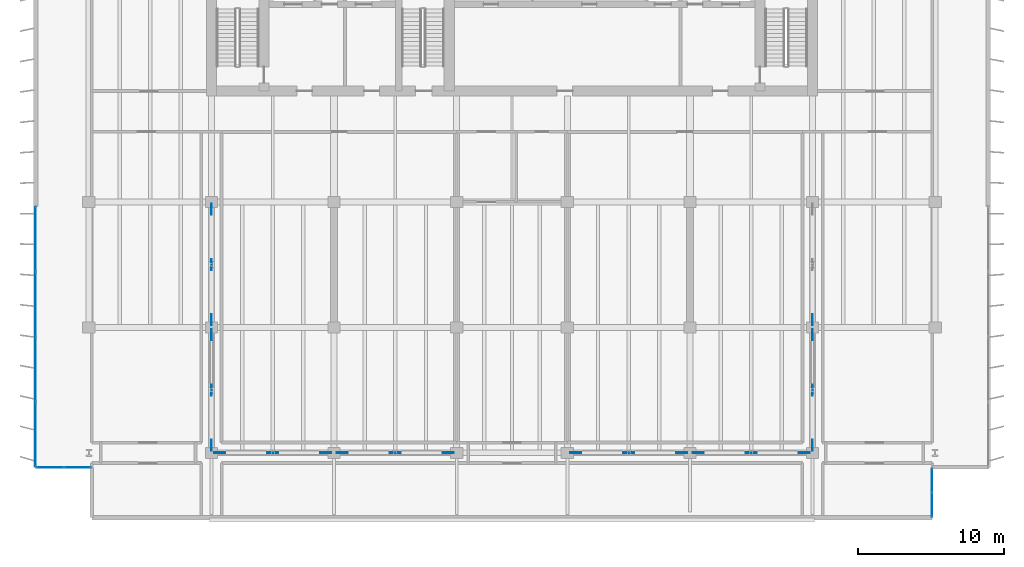
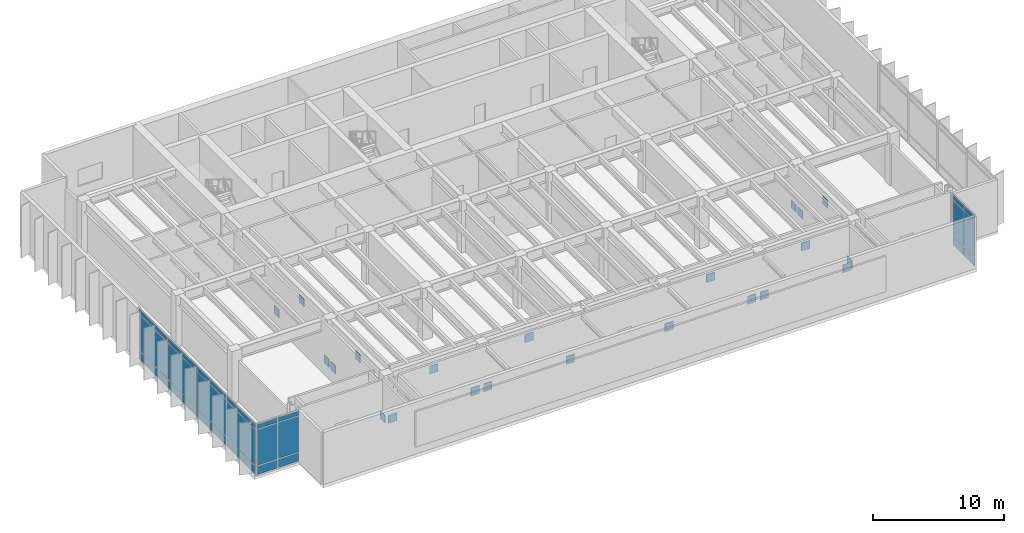
# One storey, part 11 of 23: 46 plates, 3 elements without a shape of their own.
"""IFC4 building model written with IfcOpenShell, lengths in metres."""

from ifc_helpers import new_model, si_unit, direction, frame, origin, origin_2d, place, context, subcontext, project, spatial, rectangle, extrude, material, layer, layer_set, type_object, element, aggregate, save


model = new_model("IFC4")

# Units and contexts
model_context = context("Model", 3, precision=1e-05, world=origin(), true_north=direction((0.0, 1.0)))
body_context = subcontext(model_context, "Body", "Model", "MODEL_VIEW")
ifc_project = project(units=[si_unit("LENGTHUNIT", "METRE"), si_unit("AREAUNIT", "SQUARE_METRE"), si_unit("VOLUMEUNIT", "CUBIC_METRE"), si_unit("PLANEANGLEUNIT", "RADIAN"), si_unit("MASSUNIT", "GRAM", prefix="KILO")], contexts=[model_context])

# Site, building, storey
site_placement = place(None, origin())
site = spatial("IfcSite", under=ifc_project, at=site_placement, CompositionType="ELEMENT")
building_placement = place(site_placement, origin())
building = spatial("IfcBuilding", under=site, at=building_placement, Name="Caelmar Bay Residences", CompositionType="ELEMENT")
storey_placement = place(building_placement, frame((0.0, 0.0, 221.39990234375)))
storey = spatial("IfcBuildingStorey", under=building, at=storey_placement, Name="L62", CompositionType="ELEMENT", Elevation=221.39990234375)

# Curtain wall, plates
ifc_material_1 = material(Name="Anodised bronze aluminium 6063-T6 and laminated glass", Category="aluminium")
ifc_layer_1 = layer(ifc_material_1, 0.179931640625)
ifc_layer_set_1 = layer_set([ifc_layer_1], Name="Anodised bronze aluminium 6063-T6 and laminated glass")
curtain_wall_type_1 = type_object("IfcCurtainWallType", Name="CW6-NTC", PredefinedType="NOTDEFINED", material=ifc_layer_set_1)
curtain_wall_1_placement = place(storey_placement, origin())
curtain_wall_1 = element("IfcCurtainWall", 1, at=curtain_wall_1_placement, inside=storey, type_object=curtain_wall_type_1, Name="CW6 curtain wall L62", PredefinedType="NOTDEFINED")
ifc_material_2 = material(Name="Bronze-tinted laminated low-E hurricane glass 28 mm", Category="glass")
ifc_layer_2 = layer(ifc_material_2, 0.028076171875)
ifc_layer_set_2 = layer_set([ifc_layer_2], Name="Bronze-tinted laminated low-E hurricane glass 28 mm")
plate_type_1 = type_object("IfcPlateType", Name="CWP-GLZ28", PredefinedType="CURTAIN_PANEL", material=ifc_layer_set_2)
plate_1_placement = place(storey_placement, frame((7.232421875, 11.199951171875, 0.080078125), z_axis=(0.0, 0.0, 1.0), x_axis=(1.0, 0.0, 0.0)))
plate_1 = element("IfcPlate", 2, at=plate_1_placement, type_object=plate_type_1, Name="CW6 panel 1.1", PredefinedType="CURTAIN_PANEL", context=body_context, shape_type="SweptSolid", body=[
    extrude(rectangle(XDim=1.804931640625, YDim=0.028076171875, at=origin_2d()), origin(), (0.0, 0.0, 1.0), 0.780029296875),
])
plate_2_placement = place(storey_placement, frame((7.232421875, 11.199951171875, 0.93994140625), z_axis=(0.0, 0.0, 1.0), x_axis=(1.0, 0.0, 0.0)))
plate_2 = element("IfcPlate", 3, at=plate_2_placement, type_object=plate_type_1, Name="CW6 panel 1.2", PredefinedType="CURTAIN_PANEL", context=body_context, shape_type="SweptSolid", body=[
    extrude(rectangle(XDim=1.804931640625, YDim=0.028076171875, at=origin_2d()), origin(), (0.0, 0.0, 1.0), 3.320068359375),
])
plate_3_placement = place(storey_placement, frame((7.232421875, 11.199951171875, 4.34033203125), z_axis=(0.0, 0.0, 1.0), x_axis=(1.0, 0.0, 0.0)))
plate_3 = element("IfcPlate", 4, at=plate_3_placement, type_object=plate_type_1, Name="CW6 panel 1.3", PredefinedType="CURTAIN_PANEL", context=body_context, shape_type="SweptSolid", body=[
    extrude(rectangle(XDim=1.804931640625, YDim=0.028076171875, at=origin_2d()), origin(), (0.0, 0.0, 1.0), 0.429931640625),
])
plate_4_placement = place(storey_placement, frame((9.117431640625, 11.199951171875, 0.080078125), z_axis=(0.0, 0.0, 1.0), x_axis=(1.0, 0.0, 0.0)))
plate_4 = element("IfcPlate", 5, at=plate_4_placement, type_object=plate_type_1, Name="CW6 panel 2.1", PredefinedType="CURTAIN_PANEL", context=body_context, shape_type="SweptSolid", body=[
    extrude(rectangle(XDim=1.804931640625, YDim=0.028076171875, at=origin_2d()), origin(), (0.0, 0.0, 1.0), 0.780029296875),
])
plate_5_placement = place(storey_placement, frame((9.117431640625, 11.199951171875, 0.93994140625), z_axis=(0.0, 0.0, 1.0), x_axis=(1.0, 0.0, 0.0)))
plate_5 = element("IfcPlate", 6, at=plate_5_placement, type_object=plate_type_1, Name="CW6 panel 2.2", PredefinedType="CURTAIN_PANEL", context=body_context, shape_type="SweptSolid", body=[
    extrude(rectangle(XDim=1.804931640625, YDim=0.028076171875, at=origin_2d()), origin(), (0.0, 0.0, 1.0), 3.320068359375),
])
plate_6_placement = place(storey_placement, frame((9.117431640625, 11.199951171875, 4.34033203125), z_axis=(0.0, 0.0, 1.0), x_axis=(1.0, 0.0, 0.0)))
plate_6 = element("IfcPlate", 7, at=plate_6_placement, type_object=plate_type_1, Name="CW6 panel 2.3", PredefinedType="CURTAIN_PANEL", context=body_context, shape_type="SweptSolid", body=[
    extrude(rectangle(XDim=1.804931640625, YDim=0.028076171875, at=origin_2d()), origin(), (0.0, 0.0, 1.0), 0.429931640625),
])
aggregate(curtain_wall_1, [plate_1, plate_2, plate_3, plate_4, plate_5, plate_6])

curtain_wall_2_placement = place(storey_placement, origin())
curtain_wall_2 = element("IfcCurtainWall", 8, at=curtain_wall_2_placement, inside=storey, type_object=curtain_wall_type_1, Name="CW6 curtain wall L62", PredefinedType="NOTDEFINED")
plate_7_placement = place(storey_placement, frame((67.699951171875, 8.632568359375, 0.080078125), z_axis=(0.0, 0.0, 1.0), x_axis=(0.0, 1.0, 0.0)))
plate_7 = element("IfcPlate", 9, at=plate_7_placement, type_object=plate_type_1, Name="CW6 panel 1.1", PredefinedType="CURTAIN_PANEL", context=body_context, shape_type="SweptSolid", body=[
    extrude(rectangle(XDim=1.60498046875, YDim=0.028076171875, at=origin_2d()), origin(), (0.0, 0.0, 1.0), 0.780029296875),
])
plate_8_placement = place(storey_placement, frame((67.699951171875, 8.632568359375, 0.93994140625), z_axis=(0.0, 0.0, 1.0), x_axis=(0.0, 1.0, 0.0)))
plate_8 = element("IfcPlate", 10, at=plate_8_placement, type_object=plate_type_1, Name="CW6 panel 1.2", PredefinedType="CURTAIN_PANEL", context=body_context, shape_type="SweptSolid", body=[
    extrude(rectangle(XDim=1.60498046875, YDim=0.028076171875, at=origin_2d()), origin(), (0.0, 0.0, 1.0), 3.320068359375),
])
plate_9_placement = place(storey_placement, frame((67.699951171875, 8.632568359375, 4.34033203125), z_axis=(0.0, 0.0, 1.0), x_axis=(0.0, 1.0, 0.0)))
plate_9 = element("IfcPlate", 11, at=plate_9_placement, type_object=plate_type_1, Name="CW6 panel 1.3", PredefinedType="CURTAIN_PANEL", context=body_context, shape_type="SweptSolid", body=[
    extrude(rectangle(XDim=1.60498046875, YDim=0.028076171875, at=origin_2d()), origin(), (0.0, 0.0, 1.0), 0.429931640625),
])
plate_10_placement = place(storey_placement, frame((67.699951171875, 10.3173828125, 0.080078125), z_axis=(0.0, 0.0, 1.0), x_axis=(0.0, 1.0, 0.0)))
plate_10 = element("IfcPlate", 12, at=plate_10_placement, type_object=plate_type_1, Name="CW6 panel 2.1", PredefinedType="CURTAIN_PANEL", context=body_context, shape_type="SweptSolid", body=[
    extrude(rectangle(XDim=1.60498046875, YDim=0.028076171875, at=origin_2d()), origin(), (0.0, 0.0, 1.0), 0.780029296875),
])
plate_11_placement = place(storey_placement, frame((67.699951171875, 10.3173828125, 0.93994140625), z_axis=(0.0, 0.0, 1.0), x_axis=(0.0, 1.0, 0.0)))
plate_11 = element("IfcPlate", 13, at=plate_11_placement, type_object=plate_type_1, Name="CW6 panel 2.2", PredefinedType="CURTAIN_PANEL", context=body_context, shape_type="SweptSolid", body=[
    extrude(rectangle(XDim=1.60498046875, YDim=0.028076171875, at=origin_2d()), origin(), (0.0, 0.0, 1.0), 3.320068359375),
])
plate_12_placement = place(storey_placement, frame((67.699951171875, 10.3173828125, 4.34033203125), z_axis=(0.0, 0.0, 1.0), x_axis=(0.0, 1.0, 0.0)))
plate_12 = element("IfcPlate", 14, at=plate_12_placement, type_object=plate_type_1, Name="CW6 panel 2.3", PredefinedType="CURTAIN_PANEL", context=body_context, shape_type="SweptSolid", body=[
    extrude(rectangle(XDim=1.60498046875, YDim=0.028076171875, at=origin_2d()), origin(), (0.0, 0.0, 1.0), 0.429931640625),
])
aggregate(curtain_wall_2, [plate_7, plate_8, plate_9, plate_10, plate_11, plate_12])

ifc_layer_3 = layer(ifc_material_1, 0.179931640625)
ifc_layer_set_3 = layer_set([ifc_layer_3], Name="Anodised bronze aluminium 6063-T6 and laminated glass")
curtain_wall_type_2 = type_object("IfcCurtainWallType", Name="CW4-Z3", PredefinedType="NOTDEFINED", material=ifc_layer_set_3)
curtain_wall_3_placement = place(storey_placement, origin())
curtain_wall_3 = element("IfcCurtainWall", 15, at=curtain_wall_3_placement, inside=storey, type_object=curtain_wall_type_2, Name="CW4 curtain wall L62", PredefinedType="NOTDEFINED")
plate_13_placement = place(storey_placement, frame((6.25, 13.45751953125, 0.080078125), z_axis=(0.0, 0.0, 1.0), x_axis=(0.0, 1.0, 0.0)))
plate_13 = element("IfcPlate", 16, at=plate_13_placement, type_object=plate_type_1, Name="CW4 panel 1.1", PredefinedType="CURTAIN_PANEL", context=body_context, shape_type="SweptSolid", body=[
    extrude(rectangle(XDim=4.35498046875, YDim=0.028076171875, at=origin_2d()), origin(), (0.0, 0.0, 1.0), 0.780029296875),
])
plate_14_placement = place(storey_placement, frame((6.25, 13.45751953125, 0.93994140625), z_axis=(0.0, 0.0, 1.0), x_axis=(0.0, 1.0, 0.0)))
plate_14 = element("IfcPlate", 17, at=plate_14_placement, type_object=plate_type_1, Name="CW4 panel 1.2", PredefinedType="CURTAIN_PANEL", context=body_context, shape_type="SweptSolid", body=[
    extrude(rectangle(XDim=4.35498046875, YDim=0.028076171875, at=origin_2d()), origin(), (0.0, 0.0, 1.0), 3.320068359375),
])
plate_15_placement = place(storey_placement, frame((6.25, 13.45751953125, 4.34033203125), z_axis=(0.0, 0.0, 1.0), x_axis=(0.0, 1.0, 0.0)))
plate_15 = element("IfcPlate", 18, at=plate_15_placement, type_object=plate_type_1, Name="CW4 panel 1.3", PredefinedType="CURTAIN_PANEL", context=body_context, shape_type="SweptSolid", body=[
    extrude(rectangle(XDim=4.35498046875, YDim=0.028076171875, at=origin_2d()), origin(), (0.0, 0.0, 1.0), 0.429931640625),
])
plate_16_placement = place(storey_placement, frame((6.25, 17.91259765625, 0.080078125), z_axis=(0.0, 0.0, 1.0), x_axis=(0.0, 1.0, 0.0)))
plate_16 = element("IfcPlate", 19, at=plate_16_placement, type_object=plate_type_1, Name="CW4 panel 2.1", PredefinedType="CURTAIN_PANEL", context=body_context, shape_type="SweptSolid", body=[
    extrude(rectangle(XDim=4.39501953125, YDim=0.028076171875, at=origin_2d()), origin(), (0.0, 0.0, 1.0), 0.780029296875),
])
plate_17_placement = place(storey_placement, frame((6.25, 17.91259765625, 0.93994140625), z_axis=(0.0, 0.0, 1.0), x_axis=(0.0, 1.0, 0.0)))
plate_17 = element("IfcPlate", 20, at=plate_17_placement, type_object=plate_type_1, Name="CW4 panel 2.2", PredefinedType="CURTAIN_PANEL", context=body_context, shape_type="SweptSolid", body=[
    extrude(rectangle(XDim=4.39501953125, YDim=0.028076171875, at=origin_2d()), origin(), (0.0, 0.0, 1.0), 3.320068359375),
])
plate_18_placement = place(storey_placement, frame((6.25, 17.91259765625, 4.34033203125), z_axis=(0.0, 0.0, 1.0), x_axis=(0.0, 1.0, 0.0)))
plate_18 = element("IfcPlate", 21, at=plate_18_placement, type_object=plate_type_1, Name="CW4 panel 2.3", PredefinedType="CURTAIN_PANEL", context=body_context, shape_type="SweptSolid", body=[
    extrude(rectangle(XDim=4.39501953125, YDim=0.028076171875, at=origin_2d()), origin(), (0.0, 0.0, 1.0), 0.429931640625),
])
plate_19_placement = place(storey_placement, frame((6.25, 22.387451171875, 0.080078125), z_axis=(0.0, 0.0, 1.0), x_axis=(0.0, 1.0, 0.0)))
plate_19 = element("IfcPlate", 22, at=plate_19_placement, type_object=plate_type_1, Name="CW4 panel 3.1", PredefinedType="CURTAIN_PANEL", context=body_context, shape_type="SweptSolid", body=[
    extrude(rectangle(XDim=4.39501953125, YDim=0.028076171875, at=origin_2d()), origin(), (0.0, 0.0, 1.0), 0.780029296875),
])
plate_20_placement = place(storey_placement, frame((6.25, 22.387451171875, 0.93994140625), z_axis=(0.0, 0.0, 1.0), x_axis=(0.0, 1.0, 0.0)))
plate_20 = element("IfcPlate", 23, at=plate_20_placement, type_object=plate_type_1, Name="CW4 panel 3.2", PredefinedType="CURTAIN_PANEL", context=body_context, shape_type="SweptSolid", body=[
    extrude(rectangle(XDim=4.39501953125, YDim=0.028076171875, at=origin_2d()), origin(), (0.0, 0.0, 1.0), 3.320068359375),
])
plate_21_placement = place(storey_placement, frame((6.25, 22.387451171875, 4.34033203125), z_axis=(0.0, 0.0, 1.0), x_axis=(0.0, 1.0, 0.0)))
plate_21 = element("IfcPlate", 24, at=plate_21_placement, type_object=plate_type_1, Name="CW4 panel 3.3", PredefinedType="CURTAIN_PANEL", context=body_context, shape_type="SweptSolid", body=[
    extrude(rectangle(XDim=4.39501953125, YDim=0.028076171875, at=origin_2d()), origin(), (0.0, 0.0, 1.0), 0.429931640625),
])
plate_22_placement = place(storey_placement, frame((6.25, 26.842529296875, 0.080078125), z_axis=(0.0, 0.0, 1.0), x_axis=(0.0, 1.0, 0.0)))
plate_22 = element("IfcPlate", 25, at=plate_22_placement, type_object=plate_type_1, Name="CW4 panel 4.1", PredefinedType="CURTAIN_PANEL", context=body_context, shape_type="SweptSolid", body=[
    extrude(rectangle(XDim=4.35498046875, YDim=0.028076171875, at=origin_2d()), origin(), (0.0, 0.0, 1.0), 0.780029296875),
])
plate_23_placement = place(storey_placement, frame((6.25, 26.842529296875, 0.93994140625), z_axis=(0.0, 0.0, 1.0), x_axis=(0.0, 1.0, 0.0)))
plate_23 = element("IfcPlate", 26, at=plate_23_placement, type_object=plate_type_1, Name="CW4 panel 4.2", PredefinedType="CURTAIN_PANEL", context=body_context, shape_type="SweptSolid", body=[
    extrude(rectangle(XDim=4.35498046875, YDim=0.028076171875, at=origin_2d()), origin(), (0.0, 0.0, 1.0), 3.320068359375),
])
plate_24_placement = place(storey_placement, frame((6.25, 26.842529296875, 4.34033203125), z_axis=(0.0, 0.0, 1.0), x_axis=(0.0, 1.0, 0.0)))
plate_24 = element("IfcPlate", 27, at=plate_24_placement, type_object=plate_type_1, Name="CW4 panel 4.3", PredefinedType="CURTAIN_PANEL", context=body_context, shape_type="SweptSolid", body=[
    extrude(rectangle(XDim=4.35498046875, YDim=0.028076171875, at=origin_2d()), origin(), (0.0, 0.0, 1.0), 0.429931640625),
])
aggregate(curtain_wall_3, [plate_13, plate_14, plate_15, plate_16, plate_17, plate_18, plate_19, plate_20, plate_21, plate_22, plate_23, plate_24])

# Plates
ifc_material_3 = material(Name="Steel ASTM A572 Grade 50", Category="steel")
ifc_layer_4 = layer(ifc_material_3, 0.050048828125)
ifc_layer_set_4 = layer_set([ifc_layer_4], Name="Steel ASTM A572 Grade 50")
plate_type_2 = type_object("IfcPlateType", Name="PLT-GUS-50", PredefinedType="USERDEFINED", material=ifc_layer_set_4)
for number, where, z_axis, x_axis, name in (
    (28, (18.300048828125, 12.705078125, 0.005126953125), (0.0, 0.0, 1.0), (0.0, 1.0, 0.0), "L62 Structural Node Gusset Plate PLT-OUT-L62-01S"),
    (29, (18.300048828125, 20.294921875, 0.005126953125), (0.0, 0.0, 1.0), (0.0, 1.0, 0.0), "L62 Structural Node Gusset Plate PLT-OUT-L62-01N"),
    (30, (18.300048828125, 16.5, 3.30908203125), (0.0, 0.0, 1.0), (0.0, 1.0, 0.0), "L62 Structural Node Gusset Plate PLT-OUT-L62-01T"),
    (31, (18.300048828125, 21.304931640625, 0.005126953125), (0.0, 0.0, 1.0), (0.0, 1.0, 0.0), "L62 Structural Node Gusset Plate PLT-OUT-L62-02S"),
    (32, (18.300048828125, 28.89501953125, 0.005126953125), (0.0, 0.0, 1.0), (0.0, 1.0, 0.0), "L62 Structural Node Gusset Plate PLT-OUT-L62-02N"),
    (33, (18.300048828125, 25.10009765625, 3.30908203125), (0.0, 0.0, 1.0), (0.0, 1.0, 0.0), "L62 Structural Node Gusset Plate PLT-OUT-L62-02T"),
    (34, (59.5, 12.705078125, 0.005126953125), (0.0, 0.0, 1.0), (0.0, 1.0, 0.0), "L62 Structural Node Gusset Plate PLT-OUT-L62-03S"),
    (35, (59.5, 20.294921875, 0.005126953125), (0.0, 0.0, 1.0), (0.0, 1.0, 0.0), "L62 Structural Node Gusset Plate PLT-OUT-L62-03N"),
    (36, (59.5, 16.5, 3.30908203125), (0.0, 0.0, 1.0), (0.0, 1.0, 0.0), "L62 Structural Node Gusset Plate PLT-OUT-L62-03T"),
    (37, (59.5, 21.304931640625, 0.005126953125), (0.0, 0.0, 1.0), (0.0, 1.0, 0.0), "L62 Structural Node Gusset Plate PLT-OUT-L62-04S"),
    (38, (18.85498046875, 12.199951171875, 0.005126953125), (0.0, 0.0, 1.0), (1.0, 0.0, 0.0), "L62 Structural Node Gusset Plate PLT-BLT-L62-01W"),
    (39, (26.14501953125, 12.199951171875, 0.005126953125), (0.0, 0.0, 1.0), (1.0, 0.0, 0.0), "L62 Structural Node Gusset Plate PLT-BLT-L62-01E"),
    (40, (22.5, 12.199951171875, 3.30908203125), (0.0, 0.0, 1.0), (1.0, 0.0, 0.0), "L62 Structural Node Gusset Plate PLT-BLT-L62-01T"),
    (41, (27.2548828125, 12.199951171875, 0.005126953125), (0.0, 0.0, 1.0), (1.0, 0.0, 0.0), "L62 Structural Node Gusset Plate PLT-BLT-L62-02W"),
    (42, (34.544921875, 12.199951171875, 0.005126953125), (0.0, 0.0, 1.0), (1.0, 0.0, 0.0), "L62 Structural Node Gusset Plate PLT-BLT-L62-02E"),
    (43, (30.89990234375, 12.199951171875, 3.30908203125), (0.0, 0.0, 1.0), (1.0, 0.0, 0.0), "L62 Structural Node Gusset Plate PLT-BLT-L62-02T"),
    (44, (43.2548828125, 12.199951171875, 0.005126953125), (0.0, 0.0, 1.0), (1.0, 0.0, 0.0), "L62 Structural Node Gusset Plate PLT-BLT-L62-03W"),
    (45, (50.544921875, 12.199951171875, 0.005126953125), (0.0, 0.0, 1.0), (1.0, 0.0, 0.0), "L62 Structural Node Gusset Plate PLT-BLT-L62-03E"),
    (46, (46.89990234375, 12.199951171875, 3.30908203125), (0.0, 0.0, 1.0), (1.0, 0.0, 0.0), "L62 Structural Node Gusset Plate PLT-BLT-L62-03T"),
    (47, (51.655029296875, 12.199951171875, 0.005126953125), (0.0, 0.0, 1.0), (1.0, 0.0, 0.0), "L62 Structural Node Gusset Plate PLT-BLT-L62-04W"),
    (48, (58.945068359375, 12.199951171875, 0.005126953125), (0.0, 0.0, 1.0), (1.0, 0.0, 0.0), "L62 Structural Node Gusset Plate PLT-BLT-L62-04E"),
    (49, (55.300048828125, 12.199951171875, 3.30908203125), (0.0, 0.0, 1.0), (1.0, 0.0, 0.0), "L62 Structural Node Gusset Plate PLT-BLT-L62-04T"),
):
    element("IfcPlate", number, at=place(storey_placement, frame(where, z_axis=z_axis, x_axis=x_axis)), inside=storey, type_object=plate_type_2, Name=name, ObjectType="GUSSET_PLATE", PredefinedType="USERDEFINED", context=body_context, shape_type="SweptSolid", body=[
        extrude(rectangle(XDim=0.75, YDim=0.050048828125, at=origin_2d()), origin(), (0.0, 0.0, 1.0), 0.75),
    ])

save(model, "model.ifc")
